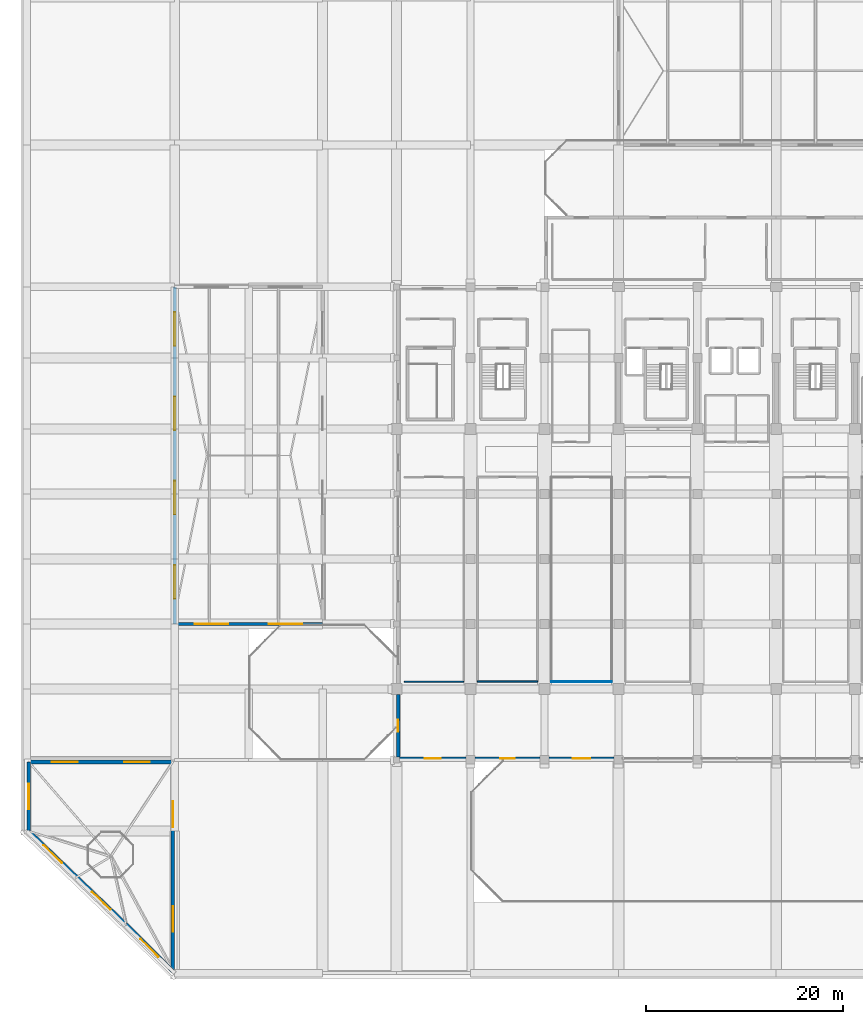
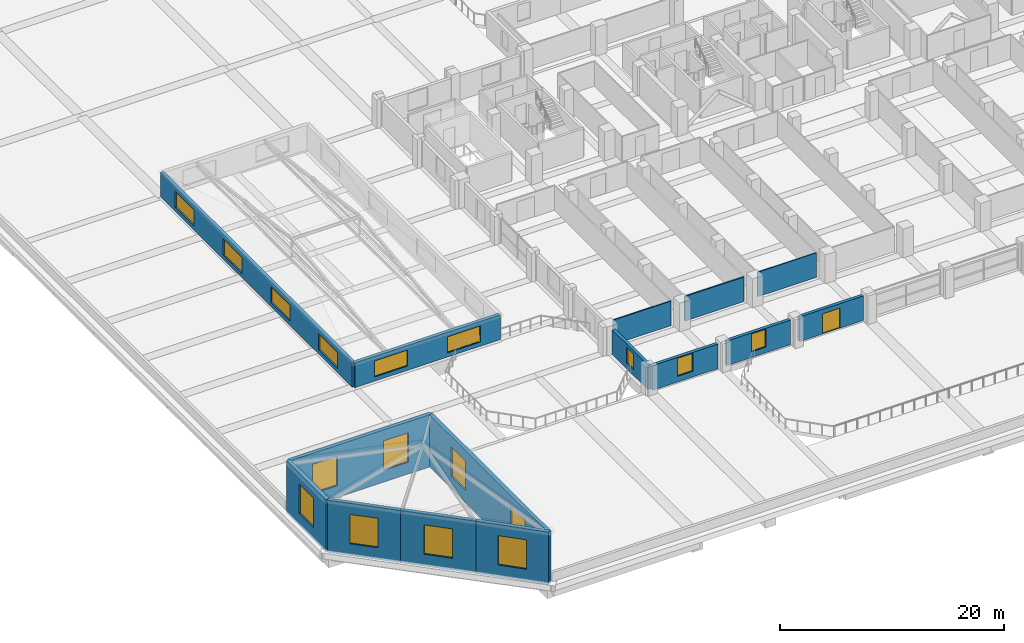
# One storey, part 33 of 49: 17 windows, 15 walls, 1 door, 18 openings.
"""IFC4 building model written with IfcOpenShell, lengths in metres."""

from ifc_helpers import new_model, si_unit, direction, frame, frame_2d, origin, place, context, subcontext, project, spatial, rectangle, extrude, material, layer, layer_set, type_object, element, fill, save


model = new_model("IFC4")

# Units and contexts
model_context = context("Model", 3, precision=1e-05, world=origin(), true_north=direction((0.0, 1.0)))
body_context = subcontext(model_context, "Body", "Model", "MODEL_VIEW")
ifc_project = project(units=[si_unit("LENGTHUNIT", "METRE"), si_unit("AREAUNIT", "SQUARE_METRE"), si_unit("VOLUMEUNIT", "CUBIC_METRE"), si_unit("PLANEANGLEUNIT", "RADIAN"), si_unit("MASSUNIT", "GRAM", prefix="KILO")], contexts=[model_context])

# Site, building, storey
site_placement = place(None, origin())
site = spatial("IfcSite", under=ifc_project, at=site_placement, CompositionType="ELEMENT")
building_placement = place(site_placement, origin())
building = spatial("IfcBuilding", under=site, at=building_placement, Name="Akrevak Sports Hall", CompositionType="ELEMENT")
storey_placement = place(building_placement, frame((0.0, 0.0, 24.14990234375)))
storey = spatial("IfcBuildingStorey", under=building, at=storey_placement, Name="L04", CompositionType="ELEMENT", Elevation=24.14990234375)

# Wall, opening, window
ifc_material_1 = material(Name="Limestone Ashlar", Category="stone")
ifc_layer_1 = layer(ifc_material_1, 0.070068359375, Name="Limestone Ashlar")
ifc_material_2 = material(Name="Mineral Wool Thermal Insulation", Category="insulation")
ifc_layer_2 = layer(ifc_material_2, 0.090087890625, Name="Mineral Wool Thermal Insulation")
ifc_material_3 = material(Name="Concrete C40/50", Category="concrete")
ifc_layer_3 = layer(ifc_material_3, 0.159912109375, Name="Concrete C40/50")
ifc_layer_set_1 = layer_set([ifc_layer_1, ifc_layer_2, ifc_layer_3], Name="Limestone Ashlar / Mineral Wool Thermal Insulation / Concrete C40/50")
wall_type_1 = type_object("IfcWallType", Name="ARC-WL-EXT-320", PredefinedType="SOLIDWALL", material=ifc_layer_set_1)
wall_1_placement = place(storey_placement, frame((37.800048828125, 21.760009765625, 0.0), z_axis=(0.0, 0.0, 1.0), x_axis=(1.0, 0.0, 0.0)))
wall_1 = element("IfcWall", 1, at=wall_1_placement, inside=storey, type_object=wall_type_1, Name="Tower Stone Facade Wall L04-S01", PredefinedType="SOLIDWALL", context=body_context, shape_type="SweptSolid", body=[
    extrude(rectangle(XDim=6.75, YDim=0.320068359375, at=frame_2d((3.375, 0.0))), origin(), (0.0, 0.0, 1.0), 2.68017578125),
])
opening_1_placement = place(wall_1_placement, frame((2.574951171875, 0.0, 0.6201171875)))
opening_1 = element("IfcOpeningElement", 2, at=opening_1_placement, cuts=wall_1, Name="Opening WN-43", PredefinedType="OPENING", context=body_context, shape_type="SweptSolid", body=[
    extrude(rectangle(XDim=1.60009765625, YDim=1.9599609375, at=frame_2d((0.800048828125, 0.97998046875))), frame((0.0, 0.171875, 0.0), z_axis=(0.0, -1.0, 0.0), x_axis=(1.0, 0.0, 0.0)), (0.0, 0.0, 1.0), 0.343994140625),
])
ifc_material_4 = material(Name="Thermally Broken Bronze Frame & Double Low-E Glass", Category="glass")
window_type_1 = type_object("IfcWindowType", Name="ARC-WIN-SZ-1600x1960", PartitioningType="SINGLE_PANEL", PredefinedType="WINDOW", material=ifc_material_4)
window_1_placement = place(opening_1_placement, origin())
window_1 = element("IfcWindow", 3, at=window_1_placement, inside=storey, type_object=window_type_1, Name="Tower Window L04-S01", OverallHeight=1.9599609375, OverallWidth=1.60009765625, PartitioningType="SINGLE_PANEL", PredefinedType="WINDOW", context=body_context, shape_type="SweptSolid", body=[
    extrude(rectangle(XDim=1.60009765625, YDim=1.9599609375, at=frame_2d((0.800048828125, 0.97998046875))), frame((0.0, 0.030029296875, 0.0), z_axis=(0.0, -1.0, 0.0), x_axis=(1.0, 0.0, 0.0)), (0.0, 0.0, 1.0), 0.06005859375),
])
fill(opening_1, window_1)

wall_2_placement = place(storey_placement, frame((45.449951171875, 21.760009765625, 0.0), z_axis=(0.0, 0.0, 1.0), x_axis=(1.0, 0.0, 0.0)))
wall_2 = element("IfcWall", 4, at=wall_2_placement, inside=storey, type_object=wall_type_1, Name="Tower Stone Facade Wall L04-S02", PredefinedType="SOLIDWALL", context=body_context, shape_type="SweptSolid", body=[
    extrude(rectangle(XDim=6.60009765625, YDim=0.320068359375, at=frame_2d((3.300048828125, 0.0))), origin(), (0.0, 0.0, 1.0), 2.68017578125),
])
opening_2_placement = place(wall_2_placement, frame((2.550048828125, 0.0, 0.6201171875)))
opening_2 = element("IfcOpeningElement", 5, at=opening_2_placement, cuts=wall_2, Name="Opening WN-09", PredefinedType="OPENING", context=body_context, shape_type="SweptSolid", body=[
    extrude(rectangle(XDim=1.5, YDim=1.949951171875, at=frame_2d((0.75, 0.97509765625))), frame((0.0, 0.171875, 0.0), z_axis=(0.0, -1.0, 0.0), x_axis=(1.0, 0.0, 0.0)), (0.0, 0.0, 1.0), 0.343994140625),
])
window_type_2 = type_object("IfcWindowType", Name="ARC-WIN-TW-150x195", PartitioningType="SINGLE_PANEL", PredefinedType="WINDOW", material=ifc_material_4)
window_2_placement = place(opening_2_placement, origin())
window_2 = element("IfcWindow", 6, at=window_2_placement, inside=storey, type_object=window_type_2, Name="Tower Window L04-S02", OverallHeight=1.949951171875, OverallWidth=1.5, PartitioningType="SINGLE_PANEL", PredefinedType="WINDOW", context=body_context, shape_type="SweptSolid", body=[
    extrude(rectangle(XDim=1.5, YDim=1.949951171875, at=frame_2d((0.75, 0.97509765625))), frame((0.0, 0.030029296875, 0.0), z_axis=(0.0, -1.0, 0.0), x_axis=(1.0, 0.0, 0.0)), (0.0, 0.0, 1.0), 0.06005859375),
])
fill(opening_2, window_2)

# Wall, opening, door
wall_3_placement = place(storey_placement, frame((52.949951171875, 21.760009765625, 0.0), z_axis=(0.0, 0.0, 1.0), x_axis=(1.0, 0.0, 0.0)))
wall_3 = element("IfcWall", 7, at=wall_3_placement, inside=storey, type_object=wall_type_1, Name="Tower Stone Facade Wall L04-S03", PredefinedType="SOLIDWALL", context=body_context, shape_type="SweptSolid", body=[
    extrude(rectangle(XDim=6.60009765625, YDim=0.320068359375, at=frame_2d((3.300048828125, 0.0))), origin(), (0.0, 0.0, 1.0), 2.68017578125),
])
opening_3_placement = place(wall_3_placement, frame((2.39990234375, 0.0, 0.0)))
opening_3 = element("IfcOpeningElement", 8, at=opening_3_placement, cuts=wall_3, Name="Opening TD-01", PredefinedType="OPENING", context=body_context, shape_type="SweptSolid", body=[
    extrude(rectangle(XDim=1.800048828125, YDim=2.199951171875, at=frame_2d((0.89990234375, 1.10009765625))), frame((0.0, 0.171875, 0.0), z_axis=(0.0, -1.0, 0.0), x_axis=(1.0, 0.0, 0.0)), (0.0, 0.0, 1.0), 0.343994140625),
])
ifc_material_5 = material(Name="Anodized Bronze Aluminium & Tempered Glass", Category="aluminium")
door_type = type_object("IfcDoorType", Name="ARC-DR-TERR-180x220", OperationType="DOUBLE_DOOR_SINGLE_SWING", PredefinedType="DOOR", material=ifc_material_5)
door_placement = place(opening_3_placement, frame((1.800048828125, 0.0, 0.0), z_axis=(0.0, 0.0, 1.0), x_axis=(-1.0, 0.0, 0.0)))
door = element("IfcDoor", 9, at=door_placement, inside=storey, type_object=door_type, Name="Podium South Boulevard Terrace Door TD-03", OperationType="DOUBLE_DOOR_SINGLE_SWING", OverallHeight=2.199951171875, OverallWidth=1.800048828125, PredefinedType="DOOR", context=body_context, shape_type="SweptSolid", body=[
    extrude(rectangle(XDim=1.800048828125, YDim=2.199951171875, at=frame_2d((0.89990234375, 1.10009765625))), frame((0.0, 0.02490234375, 0.0), z_axis=(0.0, -1.0, 0.0), x_axis=(1.0, 0.0, 0.0)), (0.0, 0.0, 1.0), 0.050048828125),
])
fill(opening_3, door)

# Wall, opening, window
wall_4_placement = place(storey_placement, frame((37.659912109375, 28.25, 0.0), z_axis=(0.0, 0.0, 1.0), x_axis=(0.0, -1.0, 0.0)))
wall_4 = element("IfcWall", 10, at=wall_4_placement, inside=storey, type_object=wall_type_1, Name="Tower Stone Facade Wall L04-W36", PredefinedType="SOLIDWALL", context=body_context, shape_type="SweptSolid", body=[
    extrude(rectangle(XDim=6.35009765625, YDim=0.320068359375, at=frame_2d((3.175048828125, 0.0))), origin(), (0.0, 0.0, 1.0), 2.68017578125),
])
opening_4_placement = place(wall_4_placement, frame((2.574951171875, 0.0, 0.6201171875)))
opening_4 = element("IfcOpeningElement", 11, at=opening_4_placement, cuts=wall_4, Name="Opening WN-13", PredefinedType="OPENING", context=body_context, shape_type="SweptSolid", body=[
    extrude(rectangle(XDim=1.199951171875, YDim=1.699951171875, at=frame_2d((0.60009765625, 0.85009765625))), frame((0.0, 0.171875, 0.0), z_axis=(0.0, -1.0, 0.0), x_axis=(1.0, 0.0, 0.0)), (0.0, 0.0, 1.0), 0.343994140625),
])
window_type_3 = type_object("IfcWindowType", Name="ARC-WIN-TW-120x170", PartitioningType="SINGLE_PANEL", PredefinedType="WINDOW", material=ifc_material_4)
window_3_placement = place(opening_4_placement, origin())
window_3 = element("IfcWindow", 12, at=window_3_placement, inside=storey, type_object=window_type_3, Name="Tower Window L04-W36", OverallHeight=1.699951171875, OverallWidth=1.199951171875, PartitioningType="SINGLE_PANEL", PredefinedType="WINDOW", context=body_context, shape_type="SweptSolid", body=[
    extrude(rectangle(XDim=1.199951171875, YDim=1.699951171875, at=frame_2d((0.60009765625, 0.85009765625))), frame((0.0, 0.030029296875, 0.0), z_axis=(0.0, -1.0, 0.0), x_axis=(1.0, 0.0, 0.0)), (0.0, 0.0, 1.0), 0.06005859375),
])
fill(opening_4, window_3)

# Wall, openings, windows
ifc_layer_4 = layer(ifc_material_1, 0.070068359375, Name="Limestone Ashlar")
ifc_layer_5 = layer(ifc_material_2, 0.10009765625, Name="Mineral Wool Thermal Insulation")
ifc_layer_6 = layer(ifc_material_3, 0.169921875, Name="Concrete C40/50")
ifc_layer_set_2 = layer_set([ifc_layer_4, ifc_layer_5, ifc_layer_6], Name="Limestone Ashlar / Mineral Wool Thermal Insulation / Concrete C40/50")
wall_type_2 = type_object("IfcWallType", Name="ARC-WL-EXT-340", PredefinedType="SOLIDWALL", material=ifc_layer_set_2)
wall_5_placement = place(storey_placement, frame((15.0, 35.39990234375, 0.0), z_axis=(0.0, 0.0, 1.0), x_axis=(1.0, 0.0, 0.0)))
wall_5 = element("IfcWall", 13, at=wall_5_placement, inside=storey, type_object=wall_type_2, Name="West Sports Hall Clerestory Monitor S Wall", PredefinedType="SOLIDWALL", context=body_context, shape_type="SweptSolid", body=[
    extrude(rectangle(XDim=15.0, YDim=0.340087890625, at=frame_2d((7.5, 0.0))), origin(), (0.0, 0.0, 1.0), 2.7001953125),
])
opening_5_placement = place(wall_5_placement, frame((2.050048828125, 0.0, 0.4599609375)))
opening_5 = element("IfcOpeningElement", 14, at=opening_5_placement, cuts=wall_5, Name="Opening WN-59", PredefinedType="OPENING", context=body_context, shape_type="SweptSolid", body=[
    extrude(rectangle(XDim=3.39990234375, YDim=1.739990234375, at=frame_2d((1.699951171875, 0.8701171875))), frame((0.0, 0.18212890625, 0.0), z_axis=(0.0, -1.0, 0.0), x_axis=(1.0, 0.0, 0.0)), (0.0, 0.0, 1.0), 0.364013671875),
])
opening_6_placement = place(wall_5_placement, frame((9.550048828125, 0.0, 0.4599609375)))
opening_6 = element("IfcOpeningElement", 15, at=opening_6_placement, cuts=wall_5, Name="Opening WN-59", PredefinedType="OPENING", context=body_context, shape_type="SweptSolid", body=[
    extrude(rectangle(XDim=3.39990234375, YDim=1.739990234375, at=frame_2d((1.699951171875, 0.8701171875))), frame((0.0, 0.18212890625, 0.0), z_axis=(0.0, -1.0, 0.0), x_axis=(1.0, 0.0, 0.0)), (0.0, 0.0, 1.0), 0.364013671875),
])
window_type_4 = type_object("IfcWindowType", Name="ARC-WIN-SZ-3400x1740", PartitioningType="SINGLE_PANEL", PredefinedType="WINDOW", material=ifc_material_4)
window_4_placement = place(opening_5_placement, origin())
window_4 = element("IfcWindow", 16, at=window_4_placement, inside=storey, type_object=window_type_4, Name="West Sports Hall Clerestory Monitor Clerestory Window S.1", OverallHeight=1.739990234375, OverallWidth=3.39990234375, PartitioningType="SINGLE_PANEL", PredefinedType="WINDOW", context=body_context, shape_type="SweptSolid", body=[
    extrude(rectangle(XDim=3.39990234375, YDim=1.739990234375, at=frame_2d((1.699951171875, 0.8701171875))), frame((0.0, 0.030029296875, 0.0), z_axis=(0.0, -1.0, 0.0), x_axis=(1.0, 0.0, 0.0)), (0.0, 0.0, 1.0), 0.06005859375),
])
fill(opening_5, window_4)
window_5_placement = place(opening_6_placement, origin())
window_5 = element("IfcWindow", 17, at=window_5_placement, inside=storey, type_object=window_type_4, Name="West Sports Hall Clerestory Monitor Clerestory Window S.2", OverallHeight=1.739990234375, OverallWidth=3.39990234375, PartitioningType="SINGLE_PANEL", PredefinedType="WINDOW", context=body_context, shape_type="SweptSolid", body=[
    extrude(rectangle(XDim=3.39990234375, YDim=1.739990234375, at=frame_2d((1.699951171875, 0.8701171875))), frame((0.0, 0.030029296875, 0.0), z_axis=(0.0, -1.0, 0.0), x_axis=(1.0, 0.0, 0.0)), (0.0, 0.0, 1.0), 0.06005859375),
])
fill(opening_6, window_5)

wall_6_placement = place(storey_placement, frame((15.0, 69.60009765625, 0.0), z_axis=(0.0, 0.0, 1.0), x_axis=(0.0, -1.0, 0.0)))
wall_6 = element("IfcWall", 18, at=wall_6_placement, inside=storey, type_object=wall_type_2, Name="West Sports Hall Clerestory Monitor W Wall", PredefinedType="SOLIDWALL", context=body_context, shape_type="SweptSolid", body=[
    extrude(rectangle(XDim=34.2001953125, YDim=0.340087890625, at=frame_2d((17.10009765625, 0.0))), origin(), (0.0, 0.0, 1.0), 2.7001953125),
])
opening_7_placement = place(wall_6_placement, frame((2.574951171875, 0.0, 0.4599609375)))
opening_7 = element("IfcOpeningElement", 19, at=opening_7_placement, cuts=wall_6, Name="Opening WN-59", PredefinedType="OPENING", context=body_context, shape_type="SweptSolid", body=[
    extrude(rectangle(XDim=3.39990234375, YDim=1.739990234375, at=frame_2d((1.699951171875, 0.8701171875))), frame((0.0, 0.18212890625, 0.0), z_axis=(0.0, -1.0, 0.0), x_axis=(1.0, 0.0, 0.0)), (0.0, 0.0, 1.0), 0.364013671875),
])
opening_8_placement = place(wall_6_placement, frame((11.125, 0.0, 0.4599609375)))
opening_8 = element("IfcOpeningElement", 20, at=opening_8_placement, cuts=wall_6, Name="Opening WN-59", PredefinedType="OPENING", context=body_context, shape_type="SweptSolid", body=[
    extrude(rectangle(XDim=3.39990234375, YDim=1.739990234375, at=frame_2d((1.699951171875, 0.8701171875))), frame((0.0, 0.18212890625, 0.0), z_axis=(0.0, -1.0, 0.0), x_axis=(1.0, 0.0, 0.0)), (0.0, 0.0, 1.0), 0.364013671875),
])
opening_9_placement = place(wall_6_placement, frame((19.675048828125, 0.0, 0.4599609375)))
opening_9 = element("IfcOpeningElement", 21, at=opening_9_placement, cuts=wall_6, Name="Opening WN-59", PredefinedType="OPENING", context=body_context, shape_type="SweptSolid", body=[
    extrude(rectangle(XDim=3.39990234375, YDim=1.739990234375, at=frame_2d((1.699951171875, 0.8701171875))), frame((0.0, 0.18212890625, 0.0), z_axis=(0.0, -1.0, 0.0), x_axis=(1.0, 0.0, 0.0)), (0.0, 0.0, 1.0), 0.364013671875),
])
opening_10_placement = place(wall_6_placement, frame((28.22509765625, 0.0, 0.4599609375)))
opening_10 = element("IfcOpeningElement", 22, at=opening_10_placement, cuts=wall_6, Name="Opening WN-59", PredefinedType="OPENING", context=body_context, shape_type="SweptSolid", body=[
    extrude(rectangle(XDim=3.39990234375, YDim=1.739990234375, at=frame_2d((1.699951171875, 0.8701171875))), frame((0.0, 0.18212890625, 0.0), z_axis=(0.0, -1.0, 0.0), x_axis=(1.0, 0.0, 0.0)), (0.0, 0.0, 1.0), 0.364013671875),
])
window_6_placement = place(opening_7_placement, origin())
window_6 = element("IfcWindow", 23, at=window_6_placement, inside=storey, type_object=window_type_4, Name="West Sports Hall Clerestory Monitor Clerestory Window W.1", OverallHeight=1.739990234375, OverallWidth=3.39990234375, PartitioningType="SINGLE_PANEL", PredefinedType="WINDOW", context=body_context, shape_type="SweptSolid", body=[
    extrude(rectangle(XDim=3.39990234375, YDim=1.739990234375, at=frame_2d((1.699951171875, 0.8701171875))), frame((0.0, 0.030029296875, 0.0), z_axis=(0.0, -1.0, 0.0), x_axis=(1.0, 0.0, 0.0)), (0.0, 0.0, 1.0), 0.06005859375),
])
fill(opening_7, window_6)
window_7_placement = place(opening_8_placement, origin())
window_7 = element("IfcWindow", 24, at=window_7_placement, inside=storey, type_object=window_type_4, Name="West Sports Hall Clerestory Monitor Clerestory Window W.2", OverallHeight=1.739990234375, OverallWidth=3.39990234375, PartitioningType="SINGLE_PANEL", PredefinedType="WINDOW", context=body_context, shape_type="SweptSolid", body=[
    extrude(rectangle(XDim=3.39990234375, YDim=1.739990234375, at=frame_2d((1.699951171875, 0.8701171875))), frame((0.0, 0.030029296875, 0.0), z_axis=(0.0, -1.0, 0.0), x_axis=(1.0, 0.0, 0.0)), (0.0, 0.0, 1.0), 0.06005859375),
])
fill(opening_8, window_7)
window_8_placement = place(opening_9_placement, origin())
window_8 = element("IfcWindow", 25, at=window_8_placement, inside=storey, type_object=window_type_4, Name="West Sports Hall Clerestory Monitor Clerestory Window W.3", OverallHeight=1.739990234375, OverallWidth=3.39990234375, PartitioningType="SINGLE_PANEL", PredefinedType="WINDOW", context=body_context, shape_type="SweptSolid", body=[
    extrude(rectangle(XDim=3.39990234375, YDim=1.739990234375, at=frame_2d((1.699951171875, 0.8701171875))), frame((0.0, 0.030029296875, 0.0), z_axis=(0.0, -1.0, 0.0), x_axis=(1.0, 0.0, 0.0)), (0.0, 0.0, 1.0), 0.06005859375),
])
fill(opening_9, window_8)
window_9_placement = place(opening_10_placement, origin())
window_9 = element("IfcWindow", 26, at=window_9_placement, inside=storey, type_object=window_type_4, Name="West Sports Hall Clerestory Monitor Clerestory Window W.4", OverallHeight=1.739990234375, OverallWidth=3.39990234375, PartitioningType="SINGLE_PANEL", PredefinedType="WINDOW", context=body_context, shape_type="SweptSolid", body=[
    extrude(rectangle(XDim=3.39990234375, YDim=1.739990234375, at=frame_2d((1.699951171875, 0.8701171875))), frame((0.0, 0.030029296875, 0.0), z_axis=(0.0, -1.0, 0.0), x_axis=(1.0, 0.0, 0.0)), (0.0, 0.0, 1.0), 0.06005859375),
])
fill(opening_10, window_9)

ifc_layer_7 = layer(ifc_material_1, 0.080078125, Name="Limestone Ashlar")
ifc_layer_8 = layer(ifc_material_2, 0.10009765625, Name="Mineral Wool Thermal Insulation")
ifc_layer_9 = layer(ifc_material_3, 0.199951171875, Name="Concrete C40/50")
ifc_layer_set_3 = layer_set([ifc_layer_7, ifc_layer_8, ifc_layer_9], Name="Limestone Ashlar / Mineral Wool Thermal Insulation / Concrete C40/50")
wall_type_3 = type_object("IfcWallType", Name="ARC-WL-EXT-380", PredefinedType="SOLIDWALL", material=ifc_layer_set_3)
wall_7_placement = place(storey_placement, frame((14.81005859375, 0.18994140625, 0.0), z_axis=(0.0, 0.0, 1.0), x_axis=(0.0, 1.0, 0.0)))
wall_7 = element("IfcWall", 27, at=wall_7_placement, inside=storey, type_object=wall_type_3, Name="Beaux-Arts Corner Rotunda Pavilion Drum Wall 1", PredefinedType="SOLIDWALL", context=body_context, shape_type="SweptSolid", body=[
    extrude(rectangle(XDim=21.219970703125, YDim=0.3798828125, at=frame_2d((10.60986328125, 0.0))), origin(), (0.0, 0.0, 1.0), 5.7001953125),
])
opening_11_placement = place(wall_7_placement, frame((4.0048828125, 0.0, 1.300048828125)))
opening_11 = element("IfcOpeningElement", 28, at=opening_11_placement, cuts=wall_7, Name="Opening WN-06", PredefinedType="OPENING", context=body_context, shape_type="SweptSolid", body=[
    extrude(rectangle(XDim=2.60009765625, YDim=3.199951171875, at=frame_2d((1.300048828125, 1.60009765625))), frame((0.0, 0.201904296875, 0.0), z_axis=(0.0, -1.0, 0.0), x_axis=(1.0, 0.0, 0.0)), (0.0, 0.0, 1.0), 0.40380859375),
])
opening_12_placement = place(wall_7_placement, frame((14.614990234375, 0.0, 1.300048828125)))
opening_12 = element("IfcOpeningElement", 29, at=opening_12_placement, cuts=wall_7, Name="Opening WN-06", PredefinedType="OPENING", context=body_context, shape_type="SweptSolid", body=[
    extrude(rectangle(XDim=2.60009765625, YDim=3.199951171875, at=frame_2d((1.300048828125, 1.60009765625))), frame((0.0, 0.201904296875, 0.0), z_axis=(0.0, -1.0, 0.0), x_axis=(1.0, 0.0, 0.0)), (0.0, 0.0, 1.0), 0.40380859375),
])
window_type_5 = type_object("IfcWindowType", Name="ARC-WIN-BA-260x300", PartitioningType="SINGLE_PANEL", PredefinedType="WINDOW", material=ifc_material_4)
window_10_placement = place(opening_11_placement, origin())
window_10 = element("IfcWindow", 30, at=window_10_placement, inside=storey, type_object=window_type_5, Name="Rotunda Lantern Window 1.1", OverallHeight=3.199951171875, OverallWidth=2.60009765625, PartitioningType="SINGLE_PANEL", PredefinedType="WINDOW", context=body_context, shape_type="SweptSolid", body=[
    extrude(rectangle(XDim=2.60009765625, YDim=3.199951171875, at=frame_2d((1.300048828125, 1.60009765625))), frame((0.0, 0.030029296875, 0.0), z_axis=(0.0, -1.0, 0.0), x_axis=(1.0, 0.0, 0.0)), (0.0, 0.0, 1.0), 0.06005859375),
])
fill(opening_11, window_10)
window_11_placement = place(opening_12_placement, origin())
window_11 = element("IfcWindow", 31, at=window_11_placement, inside=storey, type_object=window_type_5, Name="Rotunda Lantern Window 1.2", OverallHeight=3.199951171875, OverallWidth=2.60009765625, PartitioningType="SINGLE_PANEL", PredefinedType="WINDOW", context=body_context, shape_type="SweptSolid", body=[
    extrude(rectangle(XDim=2.60009765625, YDim=3.199951171875, at=frame_2d((1.300048828125, 1.60009765625))), frame((0.0, 0.030029296875, 0.0), z_axis=(0.0, -1.0, 0.0), x_axis=(1.0, 0.0, 0.0)), (0.0, 0.0, 1.0), 0.06005859375),
])
fill(opening_12, window_11)

wall_8_placement = place(storey_placement, frame((14.81005859375, 21.409912109375, 0.0), z_axis=(0.0, 0.0, 1.0), x_axis=(-1.0, 0.0, 0.0)))
wall_8 = element("IfcWall", 32, at=wall_8_placement, inside=storey, type_object=wall_type_3, Name="Beaux-Arts Corner Rotunda Pavilion Drum Wall 2", PredefinedType="SOLIDWALL", context=body_context, shape_type="SweptSolid", body=[
    extrude(rectangle(XDim=14.6201171875, YDim=0.3798828125, at=frame_2d((7.31005859375, 0.0))), origin(), (0.0, 0.0, 1.0), 5.7001953125),
])
opening_13_placement = place(wall_8_placement, frame((2.35498046875, 0.0, 1.300048828125)))
opening_13 = element("IfcOpeningElement", 33, at=opening_13_placement, cuts=wall_8, Name="Opening WN-06", PredefinedType="OPENING", context=body_context, shape_type="SweptSolid", body=[
    extrude(rectangle(XDim=2.60009765625, YDim=3.199951171875, at=frame_2d((1.300048828125, 1.60009765625))), frame((0.0, 0.201904296875, 0.0), z_axis=(0.0, -1.0, 0.0), x_axis=(1.0, 0.0, 0.0)), (0.0, 0.0, 1.0), 0.40380859375),
])
opening_14_placement = place(wall_8_placement, frame((9.6650390625, 0.0, 1.300048828125)))
opening_14 = element("IfcOpeningElement", 34, at=opening_14_placement, cuts=wall_8, Name="Opening WN-06", PredefinedType="OPENING", context=body_context, shape_type="SweptSolid", body=[
    extrude(rectangle(XDim=2.60009765625, YDim=3.199951171875, at=frame_2d((1.300048828125, 1.60009765625))), frame((0.0, 0.201904296875, 0.0), z_axis=(0.0, -1.0, 0.0), x_axis=(1.0, 0.0, 0.0)), (0.0, 0.0, 1.0), 0.40380859375),
])
window_12_placement = place(opening_13_placement, origin())
window_12 = element("IfcWindow", 35, at=window_12_placement, inside=storey, type_object=window_type_5, Name="Rotunda Lantern Window 2.1", OverallHeight=3.199951171875, OverallWidth=2.60009765625, PartitioningType="SINGLE_PANEL", PredefinedType="WINDOW", context=body_context, shape_type="SweptSolid", body=[
    extrude(rectangle(XDim=2.60009765625, YDim=3.199951171875, at=frame_2d((1.300048828125, 1.60009765625))), frame((0.0, 0.030029296875, 0.0), z_axis=(0.0, -1.0, 0.0), x_axis=(1.0, 0.0, 0.0)), (0.0, 0.0, 1.0), 0.06005859375),
])
fill(opening_13, window_12)
window_13_placement = place(opening_14_placement, origin())
window_13 = element("IfcWindow", 36, at=window_13_placement, inside=storey, type_object=window_type_5, Name="Rotunda Lantern Window 2.2", OverallHeight=3.199951171875, OverallWidth=2.60009765625, PartitioningType="SINGLE_PANEL", PredefinedType="WINDOW", context=body_context, shape_type="SweptSolid", body=[
    extrude(rectangle(XDim=2.60009765625, YDim=3.199951171875, at=frame_2d((1.300048828125, 1.60009765625))), frame((0.0, 0.030029296875, 0.0), z_axis=(0.0, -1.0, 0.0), x_axis=(1.0, 0.0, 0.0)), (0.0, 0.0, 1.0), 0.06005859375),
])
fill(opening_14, window_13)

# Wall, opening, window
wall_9_placement = place(storey_placement, frame((0.18994140625, 21.409912109375, 0.0), z_axis=(0.0, 0.0, 1.0), x_axis=(0.0, -1.0, 0.0)))
wall_9 = element("IfcWall", 37, at=wall_9_placement, inside=storey, type_object=wall_type_3, Name="Beaux-Arts Corner Rotunda Pavilion Drum Wall 3", PredefinedType="SOLIDWALL", context=body_context, shape_type="SweptSolid", body=[
    extrude(rectangle(XDim=7.010009765625, YDim=0.3798828125, at=frame_2d((3.5048828125, 0.0))), origin(), (0.0, 0.0, 1.0), 5.7001953125),
])
opening_15_placement = place(wall_9_placement, frame((2.205078125, 0.0, 1.300048828125)))
opening_15 = element("IfcOpeningElement", 38, at=opening_15_placement, cuts=wall_9, Name="Opening WN-06", PredefinedType="OPENING", context=body_context, shape_type="SweptSolid", body=[
    extrude(rectangle(XDim=2.60009765625, YDim=3.199951171875, at=frame_2d((1.300048828125, 1.60009765625))), frame((0.0, 0.201904296875, 0.0), z_axis=(0.0, -1.0, 0.0), x_axis=(1.0, 0.0, 0.0)), (0.0, 0.0, 1.0), 0.40380859375),
])
window_14_placement = place(opening_15_placement, origin())
window_14 = element("IfcWindow", 39, at=window_14_placement, inside=storey, type_object=window_type_5, Name="Rotunda Lantern Window 3.1", OverallHeight=3.199951171875, OverallWidth=2.60009765625, PartitioningType="SINGLE_PANEL", PredefinedType="WINDOW", context=body_context, shape_type="SweptSolid", body=[
    extrude(rectangle(XDim=2.60009765625, YDim=3.199951171875, at=frame_2d((1.300048828125, 1.60009765625))), frame((0.0, 0.030029296875, 0.0), z_axis=(0.0, -1.0, 0.0), x_axis=(1.0, 0.0, 0.0)), (0.0, 0.0, 1.0), 0.06005859375),
])
fill(opening_15, window_14)

wall_10_placement = place(storey_placement, frame((0.18994140625, 14.39990234375, 0.0), z_axis=(0.0, 0.0, 1.0), x_axis=(0.721074548609, -0.692857485598, 0.0)))
wall_10 = element("IfcWall", 40, at=wall_10_placement, inside=storey, type_object=wall_type_3, Name="Beaux-Arts Corner Rotunda Pavilion Drum Wall 4", PredefinedType="SOLIDWALL", context=body_context, shape_type="SweptSolid", body=[
    extrude(rectangle(XDim=6.739990234375, YDim=0.3798828125, at=frame_2d((3.3701171875, 0.0))), origin(), (0.0, 0.0, 1.0), 5.7001953125),
])
opening_16_placement = place(wall_10_placement, frame((2.070068359375, 0.0, 1.300048828125)))
opening_16 = element("IfcOpeningElement", 41, at=opening_16_placement, cuts=wall_10, Name="Opening WN-06", PredefinedType="OPENING", context=body_context, shape_type="SweptSolid", body=[
    extrude(rectangle(XDim=2.60009765625, YDim=3.199951171875, at=frame_2d((1.300048828125, 1.60009765625))), frame((0.0, 0.201904296875, 0.0), z_axis=(0.0, -1.0, 0.0), x_axis=(1.0, 0.0, 0.0)), (0.0, 0.0, 1.0), 0.40380859375),
])
window_15_placement = place(opening_16_placement, origin())
window_15 = element("IfcWindow", 42, at=window_15_placement, inside=storey, type_object=window_type_5, Name="Rotunda Lantern Window 4.1", OverallHeight=3.199951171875, OverallWidth=2.60009765625, PartitioningType="SINGLE_PANEL", PredefinedType="WINDOW", context=body_context, shape_type="SweptSolid", body=[
    extrude(rectangle(XDim=2.60009765625, YDim=3.199951171875, at=frame_2d((1.300048828125, 1.60009765625))), frame((0.0, 0.030029296875, 0.0), z_axis=(0.0, -1.0, 0.0), x_axis=(1.0, 0.0, 0.0)), (0.0, 0.0, 1.0), 0.06005859375),
])
fill(opening_16, window_15)

wall_11_placement = place(storey_placement, frame((5.050048828125, 9.72998046875, 0.0), z_axis=(0.0, 0.0, 1.0), x_axis=(0.721383801573, -0.692535494273, 0.0)))
wall_11 = element("IfcWall", 43, at=wall_11_placement, inside=storey, type_object=wall_type_3, Name="Beaux-Arts Corner Rotunda Pavilion Drum Wall 5", PredefinedType="SOLIDWALL", context=body_context, shape_type="SweptSolid", body=[
    extrude(rectangle(XDim=6.93115234375, YDim=0.3798828125, at=frame_2d((3.465576171875, 0.0))), origin(), (0.0, 0.0, 1.0), 5.7001953125),
])
opening_17_placement = place(wall_11_placement, frame((2.16552734375, 0.0, 1.300048828125)))
opening_17 = element("IfcOpeningElement", 44, at=opening_17_placement, cuts=wall_11, Name="Opening WN-06", PredefinedType="OPENING", context=body_context, shape_type="SweptSolid", body=[
    extrude(rectangle(XDim=2.60009765625, YDim=3.199951171875, at=frame_2d((1.300048828125, 1.60009765625))), frame((0.0, 0.201904296875, 0.0), z_axis=(0.0, -1.0, 0.0), x_axis=(1.0, 0.0, 0.0)), (0.0, 0.0, 1.0), 0.40380859375),
])
window_16_placement = place(opening_17_placement, origin())
window_16 = element("IfcWindow", 45, at=window_16_placement, inside=storey, type_object=window_type_5, Name="Rotunda Lantern Window 5.1", OverallHeight=3.199951171875, OverallWidth=2.60009765625, PartitioningType="SINGLE_PANEL", PredefinedType="WINDOW", context=body_context, shape_type="SweptSolid", body=[
    extrude(rectangle(XDim=2.60009765625, YDim=3.199951171875, at=frame_2d((1.300048828125, 1.60009765625))), frame((0.0, 0.030029296875, 0.0), z_axis=(0.0, -1.0, 0.0), x_axis=(1.0, 0.0, 0.0)), (0.0, 0.0, 1.0), 0.06005859375),
])
fill(opening_17, window_16)

wall_12_placement = place(storey_placement, frame((10.050048828125, 4.929931640625, 0.0), z_axis=(0.0, 0.0, 1.0), x_axis=(0.708595307436, -0.705615114832, 0.0)))
wall_12 = element("IfcWall", 46, at=wall_12_placement, inside=storey, type_object=wall_type_3, Name="Beaux-Arts Corner Rotunda Pavilion Drum Wall 6", PredefinedType="SOLIDWALL", context=body_context, shape_type="SweptSolid", body=[
    extrude(rectangle(XDim=6.717529296875, YDim=0.3798828125, at=frame_2d((3.35888671875, 0.0))), origin(), (0.0, 0.0, 1.0), 5.7001953125),
])
opening_18_placement = place(wall_12_placement, frame((2.058837890625, 0.0, 1.300048828125)))
opening_18 = element("IfcOpeningElement", 47, at=opening_18_placement, cuts=wall_12, Name="Opening WN-06", PredefinedType="OPENING", context=body_context, shape_type="SweptSolid", body=[
    extrude(rectangle(XDim=2.60009765625, YDim=3.199951171875, at=frame_2d((1.300048828125, 1.60009765625))), frame((0.0, 0.201904296875, 0.0), z_axis=(0.0, -1.0, 0.0), x_axis=(1.0, 0.0, 0.0)), (0.0, 0.0, 1.0), 0.40380859375),
])
window_17_placement = place(opening_18_placement, origin())
window_17 = element("IfcWindow", 48, at=window_17_placement, inside=storey, type_object=window_type_5, Name="Rotunda Lantern Window 6.1", OverallHeight=3.199951171875, OverallWidth=2.60009765625, PartitioningType="SINGLE_PANEL", PredefinedType="WINDOW", context=body_context, shape_type="SweptSolid", body=[
    extrude(rectangle(XDim=2.60009765625, YDim=3.199951171875, at=frame_2d((1.300048828125, 1.60009765625))), frame((0.0, 0.030029296875, 0.0), z_axis=(0.0, -1.0, 0.0), x_axis=(1.0, 0.0, 0.0)), (0.0, 0.0, 1.0), 0.06005859375),
])
fill(opening_18, window_17)

# Walls
ifc_material_6 = material(Name="Sanitary Cubicle Partition", Category="gypsum")
ifc_layer_10 = layer(ifc_material_6, 0.10009765625, Name="Sanitary Cubicle Partition")
ifc_layer_set_4 = layer_set([ifc_layer_10], Name="Sanitary Cubicle Partition")
wall_type_4 = type_object("IfcWallType", Name="ARC-WL-PRT-100", PredefinedType="PARTITIONING", material=ifc_layer_set_4)
wall_13_placement = place(storey_placement, frame((53.199951171875, 29.550048828125, 0.0), z_axis=(0.0, 0.0, 1.0), x_axis=(1.0, 0.0, 0.0)))
element("IfcWall", 49, at=wall_13_placement, inside=storey, type_object=wall_type_4, Name="Interior Partition Olympic Trophy & Heritage Gallery West (S)", PredefinedType="PARTITIONING", context=body_context, shape_type="SweptSolid", body=[
    extrude(rectangle(XDim=6.10009765625, YDim=0.10009765625, at=frame_2d((3.050048828125, 0.0))), origin(), (0.0, 0.0, 1.0), 2.68017578125),
])
ifc_material_7 = material(Name="Standard Metal Stud Partition", Category="gypsum")
ifc_layer_11 = layer(ifc_material_7, 0.1201171875, Name="Standard Metal Stud Partition")
ifc_layer_set_5 = layer_set([ifc_layer_11], Name="Standard Metal Stud Partition")
wall_type_5 = type_object("IfcWallType", Name="ARC-WL-PRT-120", PredefinedType="PARTITIONING", material=ifc_layer_set_5)
wall_14_placement = place(storey_placement, frame((38.300048828125, 29.550048828125, 0.0), z_axis=(0.0, 0.0, 1.0), x_axis=(1.0, 0.0, 0.0)))
element("IfcWall", 50, at=wall_14_placement, inside=storey, type_object=wall_type_5, Name="Interior Partition Athletes Garden Lounge West (S)", PredefinedType="PARTITIONING", context=body_context, shape_type="SweptSolid", body=[
    extrude(rectangle(XDim=6.0, YDim=0.1201171875, at=frame_2d((3.0, 0.0))), origin(), (0.0, 0.0, 1.0), 2.68017578125),
])
ifc_material_8 = material(Name="Double Stud Acoustic Gypsum Partition", Category="gypsum")
ifc_layer_12 = layer(ifc_material_8, 0.14990234375, Name="Double Stud Acoustic Gypsum Partition")
ifc_layer_set_6 = layer_set([ifc_layer_12], Name="Double Stud Acoustic Gypsum Partition")
wall_type_6 = type_object("IfcWallType", Name="ARC-WL-PRT-150", PredefinedType="PARTITIONING", material=ifc_layer_set_6)
wall_15_placement = place(storey_placement, frame((45.699951171875, 29.550048828125, 0.0), z_axis=(0.0, 0.0, 1.0), x_axis=(1.0, 0.0, 0.0)))
element("IfcWall", 51, at=wall_15_placement, inside=storey, type_object=wall_type_6, Name="Interior Partition Federation Plenary Reception Salon West (S)", PredefinedType="PARTITIONING", context=body_context, shape_type="SweptSolid", body=[
    extrude(rectangle(XDim=6.10009765625, YDim=0.14990234375, at=frame_2d((3.050048828125, 0.0))), origin(), (0.0, 0.0, 1.0), 2.68017578125),
])

save(model, "model.ifc")
